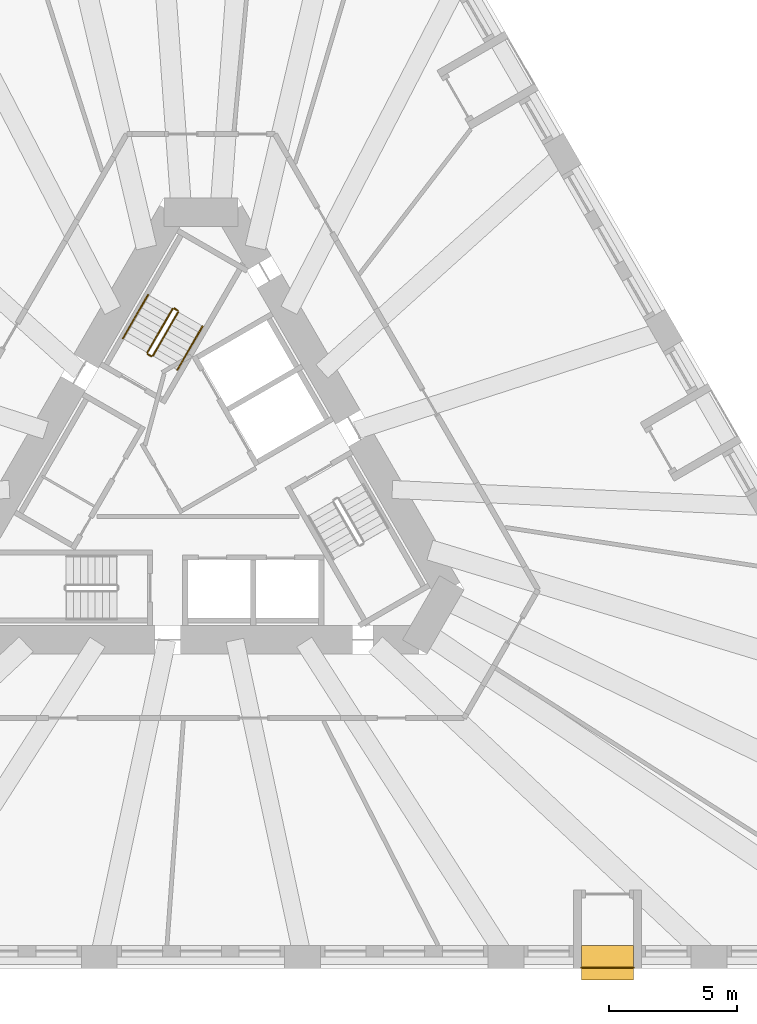
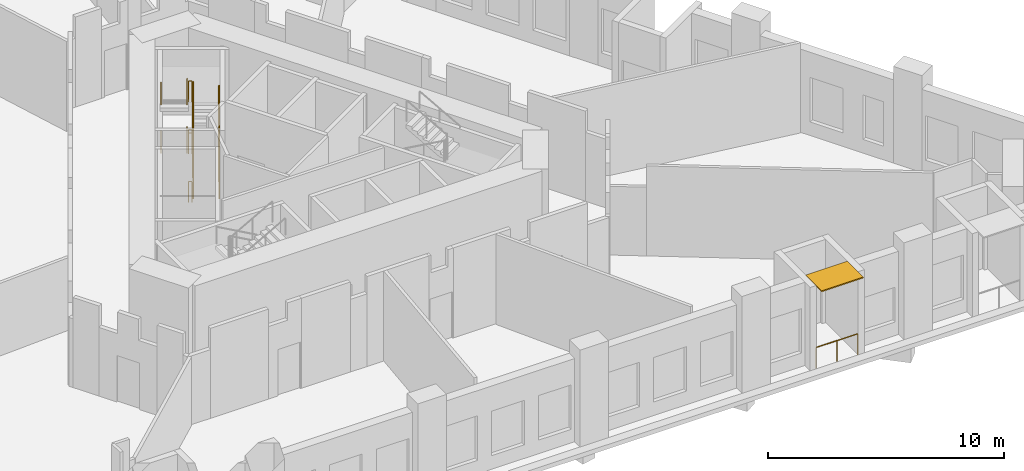
# One storey, part 10 of 12: 13 railings, 1 shading device.
"""IFC4 building model written with IfcOpenShell, lengths in metres."""

import ifcopenshell
import ifcopenshell.guid

model = None  # the IFC model being written
_history = None  # IfcOwnerHistory: only IFC2X3 demands one
_inside = {}  # id of a spatial element -> (the spatial element, [elements in it])
_under = {}  # id of a project, library or spatial element -> (it, [spatial elements below it])
_declared = {}  # id of a project -> (the project, [libraries it declares])
_typed = {}  # id of a type object -> (the type object, [elements of that type])
_made_of = {}  # id of a material, layer set ... -> (it, [elements and type objects made of it])


def new_model(schema):
    """Start an empty IFC model of exactly this schema.

    Asked for "IFC4X3", IfcOpenShell would pick the latest addendum, in which some entities
    have other attributes; the version numbers below select the first issue.
    IFC2X3 requires an IfcOwnerHistory on every rooted entity: one is made here for all.
    """
    global model, _history
    if schema == "IFC4X3":
        model = ifcopenshell.file(schema_version=(4, 3, 0, 0))
    else:
        model = ifcopenshell.file(schema=schema)
    _inside.clear()
    _under.clear()
    _declared.clear()
    _typed.clear()
    _made_of.clear()
    _history = None
    if model.schema == "IFC2X3":
        org = make("IfcOrganization", Name="unknown")
        user = make(
            "IfcPersonAndOrganization",
            ThePerson=make("IfcPerson", FamilyName="unknown"),
            TheOrganization=org,
        )
        app = make(
            "IfcApplication",
            ApplicationDeveloper=org,
            Version="unknown",
            ApplicationFullName="unknown",
            ApplicationIdentifier="unknown",
        )
        _history = make(
            "IfcOwnerHistory",
            OwningUser=user,
            OwningApplication=app,
            ChangeAction="ADDED",
            CreationDate=0,
        )
    return model


def make(cls, **values):
    """One entity of the class cls with the attributes given. An attribute that is None is left unset."""
    return model.create_entity(
        cls, **{name: value for name, value in values.items() if value is not None}
    )


def rooted(cls, **values):
    """An entity with a GlobalId (a new one), such as an element, a storey or a relation."""
    return make(cls, GlobalId=ifcopenshell.guid.new(), OwnerHistory=_history, **values)


def si_unit(unit_type, name, prefix=None):
    """IfcSIUnit, for example si_unit("LENGTHUNIT", "METRE", prefix="MILLI")."""
    return make("IfcSIUnit", UnitType=unit_type, Prefix=prefix, Name=name)


def assignment(units):
    """IfcUnitAssignment: the units of a project."""
    return None if units is None else make("IfcUnitAssignment", Units=units)


def point(xyz):
    """IfcCartesianPoint."""
    return None if xyz is None else make("IfcCartesianPoint", Coordinates=xyz)


def direction(xyz):
    """IfcDirection."""
    return None if xyz is None else make("IfcDirection", DirectionRatios=xyz)


def frame(location, z_axis=None, x_axis=None):
    """IfcAxis2Placement3D, a coordinate frame: its origin and axes. An axis left out is left unset."""
    return make(
        "IfcAxis2Placement3D",
        Location=point(location),
        Axis=direction(z_axis),
        RefDirection=direction(x_axis),
    )


def frame_2d(location, x_axis=None):
    """IfcAxis2Placement2D, a coordinate frame in the plane: its origin and x axis."""
    return make(
        "IfcAxis2Placement2D", Location=point(location), RefDirection=direction(x_axis)
    )


def origin():
    """The frame at (0, 0, 0) with its axes left unset."""
    return frame((0.0, 0.0, 0.0))


def origin_2d():
    """The frame at (0, 0) in the plane with its x axis left unset."""
    return frame_2d((0.0, 0.0))


def place(relative_to, where):
    """IfcLocalPlacement: puts the frame where relative to a parent placement (None: the world)."""
    return make(
        "IfcLocalPlacement", PlacementRelTo=relative_to, RelativePlacement=where
    )


def context(
    kind, dimensions, precision=None, world=None, true_north=None, identifier=None
):
    """IfcGeometricRepresentationContext, for example the 3D "Model" context."""
    return make(
        "IfcGeometricRepresentationContext",
        ContextIdentifier=identifier,
        ContextType=kind,
        CoordinateSpaceDimension=dimensions,
        Precision=precision,
        WorldCoordinateSystem=world,
        TrueNorth=true_north,
    )


def subcontext(parent, identifier, kind, view, scale=None):
    """IfcGeometricRepresentationSubContext, for example "Body" below "Model"."""
    return make(
        "IfcGeometricRepresentationSubContext",
        ContextIdentifier=identifier,
        ContextType=kind,
        ParentContext=parent,
        TargetScale=scale,
        TargetView=view,
    )


def project(units=None, contexts=None):
    """IfcProject with its units and contexts."""
    return rooted(
        "IfcProject",
        Name="project",
        RepresentationContexts=contexts,
        UnitsInContext=assignment(units),
    )


def spatial(cls, under=None, at=None, **own):
    """A site, building, storey or space (cls), placed at a placement, below another one or the project."""
    s = rooted(cls, ObjectPlacement=at, **own)
    if under is not None:
        _under.setdefault(under.id(), (under, []))[1].append(s)
    return s


def profile(cls, at=None, kind="AREA", **sizes):
    """A parametric profile (cls). Its sizes go by their IFC names, for example OverallWidth=200.0."""
    return make(cls, ProfileType=kind, Position=at, **sizes)


def rectangle(**sizes):
    """IfcRectangleProfileDef."""
    return profile("IfcRectangleProfileDef", **sizes)


def circle(**sizes):
    """IfcCircleProfileDef."""
    return profile("IfcCircleProfileDef", **sizes)


def extrude(swept, where, along, depth):
    """IfcExtrudedAreaSolid: the profile swept, set in the frame where, extruded along a direction by depth."""
    return make(
        "IfcExtrudedAreaSolid",
        SweptArea=swept,
        Position=where,
        ExtrudedDirection=direction(along),
        Depth=depth,
    )


def shape(context_of_items, identifier, shape_type, items):
    """IfcShapeRepresentation: the items that make up one representation, for example the "Body"."""
    return make(
        "IfcShapeRepresentation",
        ContextOfItems=context_of_items,
        RepresentationIdentifier=identifier,
        RepresentationType=shape_type,
        Items=items,
    )


def material(Name=None, Category=None):
    """IfcMaterial."""
    return make("IfcMaterial", Name=Name, Category=Category)


def layer(
    of_material, thickness, ventilated=None, Name=None, Category=None, Priority=None
):
    """IfcMaterialLayer: one layer of a wall or slab, of a material (None: an air gap)."""
    return make(
        "IfcMaterialLayer",
        Material=of_material,
        LayerThickness=thickness,
        IsVentilated=ventilated,
        Name=Name,
        Category=Category,
        Priority=Priority,
    )


def layer_set(layers, Name=None):
    """IfcMaterialLayerSet."""
    return make("IfcMaterialLayerSet", MaterialLayers=layers, LayerSetName=Name)


def made_of(thing, what):
    """Note that an element or type object is made of a material, layer set ...; save() writes the relation."""
    if what is not None:
        _made_of.setdefault(what.id(), (what, []))[1].append(thing)
    return thing


def type_object(cls, material=None, **own):
    """A type object (cls), such as IfcWallType, which elements share."""
    return made_of(rooted(cls, **own), material)


def element(
    cls,
    number,
    at=None,
    inside=None,
    cuts=None,
    type_object=None,
    material=None,
    context=None,
    identifier="Body",
    shape_type=None,
    held_by="IfcProductDefinitionShape",
    body=None,
    shapes=None,
    **own,
):
    """One element of the class cls, such as IfcWall. Its Tag is "e" and its number.

    at: its placement. inside: the storey or other place that contains it. cuts: it is an
    opening in that element (IfcRelVoidsElement). A single representation is given by context,
    identifier, shape_type and body (its items); several are given by shapes. held_by: the class
    of the entity that holds the representations. save() writes the other relations.
    """
    e = rooted(cls, Tag="e%d" % number, ObjectPlacement=at, **own)
    if body is not None:
        shapes = [shape(context, identifier, shape_type, body)]
    if shapes is not None:
        e.Representation = make(held_by, Representations=shapes)
    if inside is not None:
        _inside.setdefault(inside.id(), (inside, []))[1].append(e)
    if cuts is not None:
        rooted(
            "IfcRelVoidsElement", RelatingBuildingElement=cuts, RelatedOpeningElement=e
        )
    if type_object is not None:
        _typed.setdefault(type_object.id(), (type_object, []))[1].append(e)
    return made_of(e, material)


def aggregate(whole, parts):
    """IfcRelAggregates: a whole, such as a stair, and the parts it consists of."""
    return rooted("IfcRelAggregates", RelatingObject=whole, RelatedObjects=parts)


def save(model, path):
    """Write the relations noted so far, then the file.

    IfcRelAggregates (storeys below a building ...), IfcRelContainedInSpatialStructure (elements
    in a storey), IfcRelDefinesByType, IfcRelAssociatesMaterial and IfcRelDeclares: one each for
    every whole, place, type object, material and project.
    """
    for whole, parts in _under.values():
        aggregate(whole, parts)
    for where, things in _inside.values():
        rooted(
            "IfcRelContainedInSpatialStructure",
            RelatedElements=things,
            RelatingStructure=where,
        )
    for kind, things in _typed.values():
        rooted("IfcRelDefinesByType", RelatedObjects=things, RelatingType=kind)
    for what, things in _made_of.values():
        rooted("IfcRelAssociatesMaterial", RelatedObjects=things, RelatingMaterial=what)
    for by, libraries in _declared.values():
        rooted("IfcRelDeclares", RelatingContext=by, RelatedDefinitions=libraries)
    model.write(path)


model = new_model("IFC4")

# Units and contexts
model_context = context("Model", 3, precision=1e-05, world=origin(), true_north=direction((0.0, 1.0)))
body_context = subcontext(model_context, "Body", "Model", "MODEL_VIEW")
ifc_project = project(units=[si_unit("LENGTHUNIT", "METRE"), si_unit("AREAUNIT", "SQUARE_METRE"), si_unit("VOLUMEUNIT", "CUBIC_METRE"), si_unit("PLANEANGLEUNIT", "RADIAN"), si_unit("MASSUNIT", "GRAM", prefix="KILO")], contexts=[model_context])

# Site, building, storey
site_placement = place(None, origin())
site = spatial("IfcSite", under=ifc_project, at=site_placement, CompositionType="ELEMENT")
building_placement = place(site_placement, origin())
building = spatial("IfcBuilding", under=site, at=building_placement, Name="Tramontana Tower", CompositionType="ELEMENT")
storey_placement = place(building_placement, frame((0.0, 0.0, 25.0)))
storey = spatial("IfcBuildingStorey", under=building, at=storey_placement, Name="L04", CompositionType="ELEMENT", Elevation=25.0)

# Railing
ifc_material_1 = material(Name="Laminated glass balustrade", Category="glass")
railing_type_1 = type_object("IfcRailingType", Name="GD1 Loggia glass balustrade 1100", PredefinedType="BALUSTRADE", material=ifc_material_1)
railing_1_placement = place(storey_placement, frame((14.816162109375, -18.969970703125, 0.0)))
element("IfcRailing", 1, at=railing_1_placement, inside=storey, type_object=railing_type_1, Name="Loggia balustrade L04 G0S1.16", PredefinedType="BALUSTRADE", context=body_context, shape_type="SweptSolid", body=[
    extrude(circle(Radius=0.02392578125, at=origin_2d()), frame((0.0, 0.0, 1.076171875), z_axis=(1.0, 0.0, 0.0), x_axis=(0.0, 1.0, 0.0)), (0.0, 0.0, 1.0), 2.039306640625),
    extrude(circle(Radius=0.02099609375, at=origin_2d()), origin(), (0.0, 0.0, 1.0), 1.052001953125),
    extrude(circle(Radius=0.02099609375, at=origin_2d()), frame((1.01953125, 0.0, 0.0)), (0.0, 0.0, 1.0), 1.052001953125),
    extrude(circle(Radius=0.02099609375, at=origin_2d()), frame((2.039306640625, 0.0, 0.0)), (0.0, 0.0, 1.0), 1.052001953125),
])

# Shading device
ifc_material_2 = material(Name="Precast concrete 60 MPa", Category="concrete")
ifc_layer = layer(ifc_material_2, 0.06005859375)
ifc_layer_set = layer_set([ifc_layer], Name="SS1 Stone sunshade blade 60")
shading_device_type = type_object("IfcShadingDeviceType", Name="SS1 Stone sunshade blade 60", PredefinedType="USERDEFINED", material=ifc_layer_set)
shading_device_placement = place(storey_placement, frame((15.8359375, -18.77490234375, 4.239990234375), z_axis=(0.0, 0.0, 1.0), x_axis=(1.0, 0.0, 0.0)))
element("IfcShadingDevice", 2, at=shading_device_placement, inside=storey, type_object=shading_device_type, Name="Sunshade L04 G0S1.16", ObjectType="SUNSHADE", PredefinedType="USERDEFINED", context=body_context, shape_type="SweptSolid", body=[
    extrude(rectangle(XDim=2.039306640625, YDim=1.35009765625, at=origin_2d()), origin(), (0.0, 0.0, 1.0), 0.06005859375),
])

# Railings
ifc_material_3 = material(Name="Painted steel", Category="steel")
railing_type_2 = type_object("IfcRailingType", Name="STAIR GUARD 1100", PredefinedType="GUARDRAIL", material=ifc_material_3)
railing_2_placement = place(storey_placement, frame((-1.867431640625, 4.865478515625, 0.15625)))
element("IfcRailing", 3, at=railing_2_placement, inside=storey, type_object=railing_type_2, Name="L04 ST1 stair guard 1", PredefinedType="GUARDRAIL", context=body_context, shape_type="SweptSolid", body=[
    extrude(circle(Radius=0.02392578125, at=origin_2d()), frame((0.0, 0.0, 1.076171875), z_axis=(0.436596390967, 0.756266742998, 0.487282469241), x_axis=(-0.866042469362, 0.499970440388, 0.0)), (0.0, 0.0, 1.0), 2.24462890625),
    extrude(circle(Radius=0.02099609375, at=origin_2d()), origin(), (0.0, 0.0, 1.0), 1.052001953125),
    extrude(circle(Radius=0.02099609375, at=origin_2d()), frame((0.489990234375, 0.8486328125, 0.546875)), (0.0, 0.0, 1.0), 1.052001953125),
    extrude(circle(Radius=0.02099609375, at=origin_2d()), frame((0.97998046875, 1.697509765625, 1.09375)), (0.0, 0.0, 1.0), 1.052001953125),
])
railing_3_placement = place(storey_placement, frame((-1.10400390625, 6.68798828125, 1.40625)))
element("IfcRailing", 4, at=railing_3_placement, inside=storey, type_object=railing_type_2, Name="L04 ST1 stair guard 2", PredefinedType="GUARDRAIL", context=body_context, shape_type="SweptSolid", body=[
    extrude(circle(Radius=0.02392578125, at=origin_2d()), frame((0.0, 0.0, 1.076171875), z_axis=(-0.436596390967, -0.756266742998, 0.487282469241), x_axis=(0.866042469362, -0.499970440388, 0.0)), (0.0, 0.0, 1.0), 2.24462890625),
    extrude(circle(Radius=0.02099609375, at=origin_2d()), origin(), (0.0, 0.0, 1.0), 1.052001953125),
    extrude(circle(Radius=0.02099609375, at=origin_2d()), frame((-0.489990234375, -0.8486328125, 0.546875)), (0.0, 0.0, 1.0), 1.052001953125),
    extrude(circle(Radius=0.02099609375, at=origin_2d()), frame((-0.97998046875, -1.697509765625, 1.09375)), (0.0, 0.0, 1.0), 1.052001953125),
])
railing_4_placement = place(storey_placement, frame((-1.867431640625, 4.865478515625, 2.65625)))
element("IfcRailing", 5, at=railing_4_placement, inside=storey, type_object=railing_type_2, Name="L04 ST1 stair guard 3", PredefinedType="GUARDRAIL", context=body_context, shape_type="SweptSolid", body=[
    extrude(circle(Radius=0.02392578125, at=origin_2d()), frame((0.0, 0.0, 1.076171875), z_axis=(0.436596390967, 0.756266742998, 0.487282469241), x_axis=(-0.866042469362, 0.499970440388, 0.0)), (0.0, 0.0, 1.0), 2.24462890625),
    extrude(circle(Radius=0.02099609375, at=origin_2d()), origin(), (0.0, 0.0, 1.0), 1.052001953125),
    extrude(circle(Radius=0.02099609375, at=origin_2d()), frame((0.489990234375, 0.8486328125, 0.546875)), (0.0, 0.0, 1.0), 1.052001953125),
    extrude(circle(Radius=0.02099609375, at=origin_2d()), frame((0.97998046875, 1.697509765625, 1.09375)), (0.0, 0.0, 1.0), 1.052001953125),
])
railing_5_placement = place(storey_placement, frame((-1.10400390625, 6.68798828125, 3.90625)))
element("IfcRailing", 6, at=railing_5_placement, inside=storey, type_object=railing_type_2, Name="L04 ST1 stair guard 4", PredefinedType="GUARDRAIL", context=body_context, shape_type="SweptSolid", body=[
    extrude(circle(Radius=0.02392578125, at=origin_2d()), frame((0.0, 0.0, 1.076171875), z_axis=(-0.436596390967, -0.756266742998, 0.487282469241), x_axis=(0.866042469362, -0.499970440388, 0.0)), (0.0, 0.0, 1.0), 2.24462890625),
    extrude(circle(Radius=0.02099609375, at=origin_2d()), origin(), (0.0, 0.0, 1.0), 1.052001953125),
    extrude(circle(Radius=0.02099609375, at=origin_2d()), frame((-0.489990234375, -0.8486328125, 0.546875)), (0.0, 0.0, 1.0), 1.052001953125),
    extrude(circle(Radius=0.02099609375, at=origin_2d()), frame((-0.97998046875, -1.697509765625, 1.09375)), (0.0, 0.0, 1.0), 1.052001953125),
])
railing_6_placement = place(storey_placement, frame((-0.90576171875, 6.63134765625, 1.25)))
element("IfcRailing", 7, at=railing_6_placement, inside=storey, type_object=railing_type_2, Name="L04 ST1 stair guard 5", PredefinedType="GUARDRAIL", context=body_context, shape_type="SweptSolid", body=[
    extrude(circle(Radius=0.02392578125, at=origin_2d()), frame((0.0, 0.0, 1.076171875), z_axis=(-0.866131372301, 0.499816412211, 0.0), x_axis=(-0.499816412211, -0.866131372301, 0.0)), (0.0, 0.0, 1.0), 0.14990234375),
    extrude(circle(Radius=0.02099609375, at=origin_2d()), origin(), (0.0, 0.0, 1.0), 1.052001953125),
    extrude(circle(Radius=0.02099609375, at=origin_2d()), frame((-0.1298828125, 0.074951171875, 0.0)), (0.0, 0.0, 1.0), 1.052001953125),
])
railing_7_placement = place(storey_placement, frame((-1.935791015625, 4.84716796875, 2.5)))
element("IfcRailing", 8, at=railing_7_placement, inside=storey, type_object=railing_type_2, Name="L04 ST1 stair guard 6", PredefinedType="GUARDRAIL", context=body_context, shape_type="SweptSolid", body=[
    extrude(circle(Radius=0.02392578125, at=origin_2d()), frame((0.0, 0.0, 1.076171875), z_axis=(-0.865426285481, 0.501036270542, 0.0), x_axis=(-0.501036270542, -0.865426285481, 0.0)), (0.0, 0.0, 1.0), 0.150146484375),
    extrude(circle(Radius=0.02099609375, at=origin_2d()), origin(), (0.0, 0.0, 1.0), 1.052001953125),
    extrude(circle(Radius=0.02099609375, at=origin_2d()), frame((-0.1298828125, 0.0751953125, 0.0)), (0.0, 0.0, 1.0), 1.052001953125),
])
railing_8_placement = place(storey_placement, frame((-0.90576171875, 6.63134765625, 3.75)))
element("IfcRailing", 9, at=railing_8_placement, inside=storey, type_object=railing_type_2, Name="L04 ST1 stair guard 7", PredefinedType="GUARDRAIL", context=body_context, shape_type="SweptSolid", body=[
    extrude(circle(Radius=0.02392578125, at=origin_2d()), frame((0.0, 0.0, 1.076171875), z_axis=(-0.866131372301, 0.499816412211, 0.0), x_axis=(-0.499816412211, -0.866131372301, 0.0)), (0.0, 0.0, 1.0), 0.14990234375),
    extrude(circle(Radius=0.02099609375, at=origin_2d()), origin(), (0.0, 0.0, 1.0), 1.052001953125),
    extrude(circle(Radius=0.02099609375, at=origin_2d()), frame((-0.1298828125, 0.074951171875, 0.0)), (0.0, 0.0, 1.0), 1.052001953125),
])
railing_9_placement = place(storey_placement, frame((-1.935791015625, 4.84716796875, 0.0)))
element("IfcRailing", 10, at=railing_9_placement, inside=storey, type_object=railing_type_2, Name="L04 ST1 stair guard 8", PredefinedType="GUARDRAIL", context=body_context, shape_type="SweptSolid", body=[
    extrude(circle(Radius=0.02392578125, at=origin_2d()), frame((0.0, 0.0, 1.076171875), z_axis=(-0.865426285481, 0.501036270542, 0.0), x_axis=(-0.501036270542, -0.865426285481, 0.0)), (0.0, 0.0, 1.0), 0.150146484375),
    extrude(circle(Radius=0.02099609375, at=origin_2d()), origin(), (0.0, 0.0, 1.0), 1.052001953125),
    extrude(circle(Radius=0.02099609375, at=origin_2d()), frame((-0.1298828125, 0.0751953125, 0.0)), (0.0, 0.0, 1.0), 1.052001953125),
])
ifc_material_4 = material(Name="Painted steel", Category="steel")
railing_type_3 = type_object("IfcRailingType", Name="STAIR HANDRAIL 900", PredefinedType="HANDRAIL", material=ifc_material_4)
railing_10_placement = place(storey_placement, frame((-0.914794921875, 4.315673828125, 0.15625)))
element("IfcRailing", 11, at=railing_10_placement, inside=storey, type_object=railing_type_3, Name="L04 ST1 stair handrail 1", PredefinedType="HANDRAIL", context=body_context, shape_type="SweptSolid", body=[
    extrude(circle(Radius=0.02392578125, at=origin_2d()), frame((0.0, 0.0, 0.8759765625), z_axis=(0.436632306331, 0.756220177781, 0.487322554151), x_axis=(-0.866011328839, 0.500024377727, 0.0)), (0.0, 0.0, 1.0), 2.244384765625),
    extrude(circle(Radius=0.02099609375, at=origin_2d()), origin(), (0.0, 0.0, 1.0), 0.851806640625),
    extrude(circle(Radius=0.02099609375, at=origin_2d()), frame((0.489990234375, 0.8486328125, 0.546875)), (0.0, 0.0, 1.0), 0.851806640625),
    extrude(circle(Radius=0.02099609375, at=origin_2d()), frame((0.97998046875, 1.697265625, 1.09375)), (0.0, 0.0, 1.0), 0.851806640625),
])
railing_11_placement = place(storey_placement, frame((-2.056640625, 7.238037109375, 1.40625)))
element("IfcRailing", 12, at=railing_11_placement, inside=storey, type_object=railing_type_3, Name="L04 ST1 stair handrail 2", PredefinedType="HANDRAIL", context=body_context, shape_type="SweptSolid", body=[
    extrude(circle(Radius=0.02392578125, at=origin_2d()), frame((0.0, 0.0, 0.8759765625), z_axis=(-0.436596390967, -0.756266742998, 0.487282469241), x_axis=(0.866042469362, -0.499970440388, 0.0)), (0.0, 0.0, 1.0), 2.24462890625),
    extrude(circle(Radius=0.02099609375, at=origin_2d()), origin(), (0.0, 0.0, 1.0), 0.851806640625),
    extrude(circle(Radius=0.02099609375, at=origin_2d()), frame((-0.489990234375, -0.8486328125, 0.546875)), (0.0, 0.0, 1.0), 0.851806640625),
    extrude(circle(Radius=0.02099609375, at=origin_2d()), frame((-0.97998046875, -1.697509765625, 1.09375)), (0.0, 0.0, 1.0), 0.851806640625),
])
railing_12_placement = place(storey_placement, frame((-0.914794921875, 4.315673828125, 2.65625)))
element("IfcRailing", 13, at=railing_12_placement, inside=storey, type_object=railing_type_3, Name="L04 ST1 stair handrail 3", PredefinedType="HANDRAIL", context=body_context, shape_type="SweptSolid", body=[
    extrude(circle(Radius=0.02392578125, at=origin_2d()), frame((0.0, 0.0, 0.8759765625), z_axis=(0.436632306331, 0.756220177781, 0.487322554151), x_axis=(-0.866011328839, 0.500024377727, 0.0)), (0.0, 0.0, 1.0), 2.244384765625),
    extrude(circle(Radius=0.02099609375, at=origin_2d()), origin(), (0.0, 0.0, 1.0), 0.851806640625),
    extrude(circle(Radius=0.02099609375, at=origin_2d()), frame((0.489990234375, 0.8486328125, 0.546875)), (0.0, 0.0, 1.0), 0.851806640625),
    extrude(circle(Radius=0.02099609375, at=origin_2d()), frame((0.97998046875, 1.697265625, 1.09375)), (0.0, 0.0, 1.0), 0.851806640625),
])
railing_13_placement = place(storey_placement, frame((-2.056640625, 7.238037109375, 3.90625)))
element("IfcRailing", 14, at=railing_13_placement, inside=storey, type_object=railing_type_3, Name="L04 ST1 stair handrail 4", PredefinedType="HANDRAIL", context=body_context, shape_type="SweptSolid", body=[
    extrude(circle(Radius=0.02392578125, at=origin_2d()), frame((0.0, 0.0, 0.8759765625), z_axis=(-0.436596390967, -0.756266742998, 0.487282469241), x_axis=(0.866042469362, -0.499970440388, 0.0)), (0.0, 0.0, 1.0), 2.24462890625),
    extrude(circle(Radius=0.02099609375, at=origin_2d()), origin(), (0.0, 0.0, 1.0), 0.851806640625),
    extrude(circle(Radius=0.02099609375, at=origin_2d()), frame((-0.489990234375, -0.8486328125, 0.546875)), (0.0, 0.0, 1.0), 0.851806640625),
    extrude(circle(Radius=0.02099609375, at=origin_2d()), frame((-0.97998046875, -1.697509765625, 1.09375)), (0.0, 0.0, 1.0), 0.851806640625),
])

save(model, "model.ifc")
